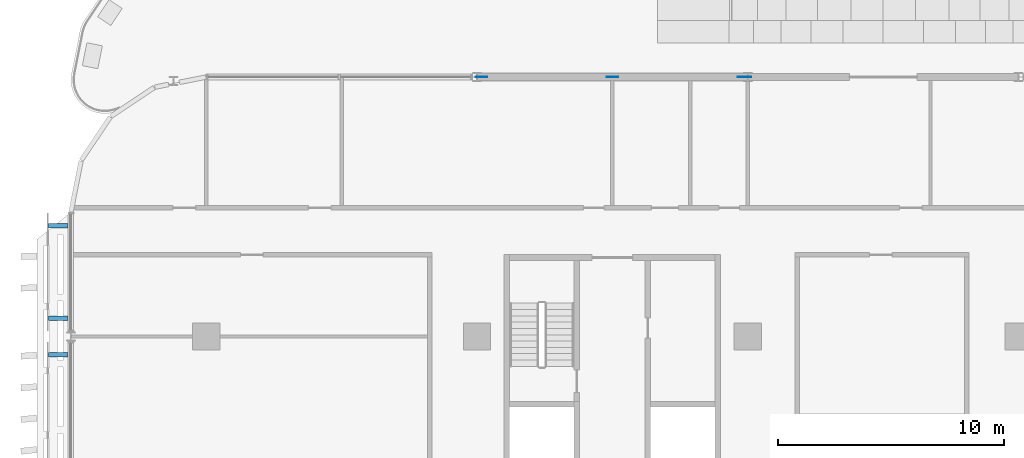
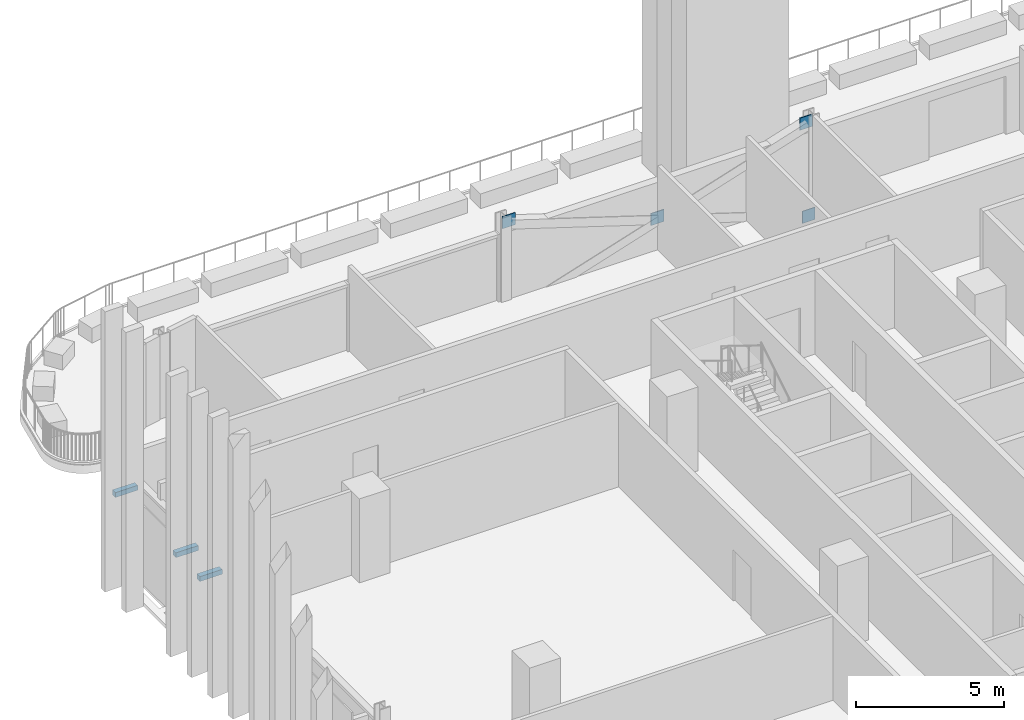
# One storey, part 19 of 30: 7 discrete accessories.
"""IFC4 building model written with IfcOpenShell, lengths in metres."""

from ifc_helpers import new_model, si_unit, direction, frame, origin, origin_2d, place, context, subcontext, project, spatial, rectangle, extrude, material, layer, layer_set, type_object, element, save


model = new_model("IFC4")

# Units and contexts
model_context = context("Model", 3, precision=1e-05, world=origin(), true_north=direction((0.0, 1.0)))
body_context = subcontext(model_context, "Body", "Model", "MODEL_VIEW")
ifc_project = project(units=[si_unit("LENGTHUNIT", "METRE"), si_unit("AREAUNIT", "SQUARE_METRE"), si_unit("VOLUMEUNIT", "CUBIC_METRE"), si_unit("PLANEANGLEUNIT", "RADIAN"), si_unit("MASSUNIT", "GRAM", prefix="KILO")], contexts=[model_context])

# Site, building, storey
site_placement = place(None, origin())
site = spatial("IfcSite", under=ifc_project, at=site_placement, CompositionType="ELEMENT")
building_placement = place(site_placement, origin())
building = spatial("IfcBuilding", under=site, at=building_placement, Name="Mahtab Terrace Research Tower", CompositionType="ELEMENT")
storey_placement = place(building_placement, frame((0.0, 0.0, 159.199951171875)))
storey = spatial("IfcBuildingStorey", under=building, at=storey_placement, Name="L37", CompositionType="ELEMENT", Elevation=159.199951171875)

# Discrete accessories
ifc_material_1 = material(Name="Black anodised aluminium", Category="aluminium")
discrete_accessory_type_1 = type_object("IfcDiscreteAccessoryType", Name="Facade bracket", PredefinedType="BRACKET", material=ifc_material_1)
for number, where, z_axis, x_axis, name in (
    (1, (-48.5625, 16.39990234375, 2.48193359375), (0.0, 0.0, 1.0), (0.0, -1.0, 0.0), "Screen bracket Girih screen L37 W16"),
    (2, (-48.5625, 12.30810546875, 2.48193359375), (0.0, 0.0, 1.0), (0.0, -1.0, 0.0), "Screen bracket Girih screen L37 W16"),
    (3, (-48.5625, 10.69189453125, 2.48193359375), (0.0, 0.0, 1.0), (0.0, -1.0, 0.0), "Screen bracket Girih screen L37 W17"),
):
    element("IfcDiscreteAccessory", number, at=place(storey_placement, frame(where, z_axis=z_axis, x_axis=x_axis)), inside=storey, type_object=discrete_accessory_type_1, Name=name, PredefinedType="BRACKET", context=body_context, shape_type="SweptSolid", body=[
        extrude(rectangle(XDim=0.199951171875, YDim=0.875, at=origin_2d()), origin(), (0.0, 0.0, 1.0), 0.199951171875),
    ])
ifc_material_2 = material(Name="Steel ASTM A992 Gr 50", Category="steel")
ifc_layer = layer(ifc_material_2, 0.030029296875)
ifc_layer_set = layer_set([ifc_layer], Name="Gusset plate 500x500x30")
discrete_accessory_type_2 = type_object("IfcDiscreteAccessoryType", Name="Gusset plate 500x500x30", PredefinedType="USERDEFINED", material=ifc_layer_set)
for number, where, z_axis, x_axis, name in (
    (4, (-29.796875, 23.0, 2.870849609375), (0.0, 0.0, 1.0), (1.0, 0.0, 0.0), "Gusset plate"),
    (5, (-24.0, 23.0, 0.970947265625), (0.0, 0.0, 1.0), (1.0, 0.0, 0.0), "Gusset plate"),
    (6, (-18.1015625, 23.0, -1.0068359375), (0.0, 0.0, 1.0), (1.0, 0.0, 0.0), "Gusset plate"),
    (7, (-18.203125, 23.0, 2.870849609375), (0.0, 0.0, 1.0), (1.0, 0.0, 0.0), "Gusset plate"),
):
    element("IfcDiscreteAccessory", number, at=place(storey_placement, frame(where, z_axis=z_axis, x_axis=x_axis)), inside=storey, type_object=discrete_accessory_type_2, Name=name, ObjectType="GUSSET PLATE", PredefinedType="USERDEFINED", context=body_context, shape_type="SweptSolid", body=[
        extrude(rectangle(XDim=0.5, YDim=0.030029296875, at=origin_2d()), origin(), (0.0, 0.0, 1.0), 0.5),
    ])

save(model, "model.ifc")
